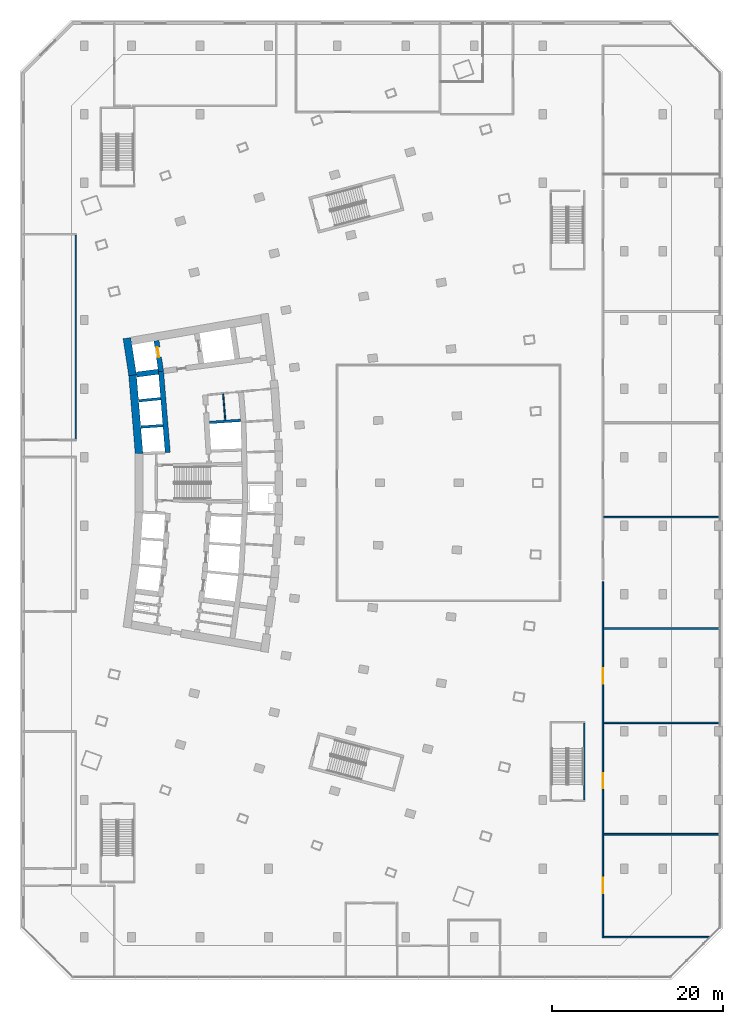
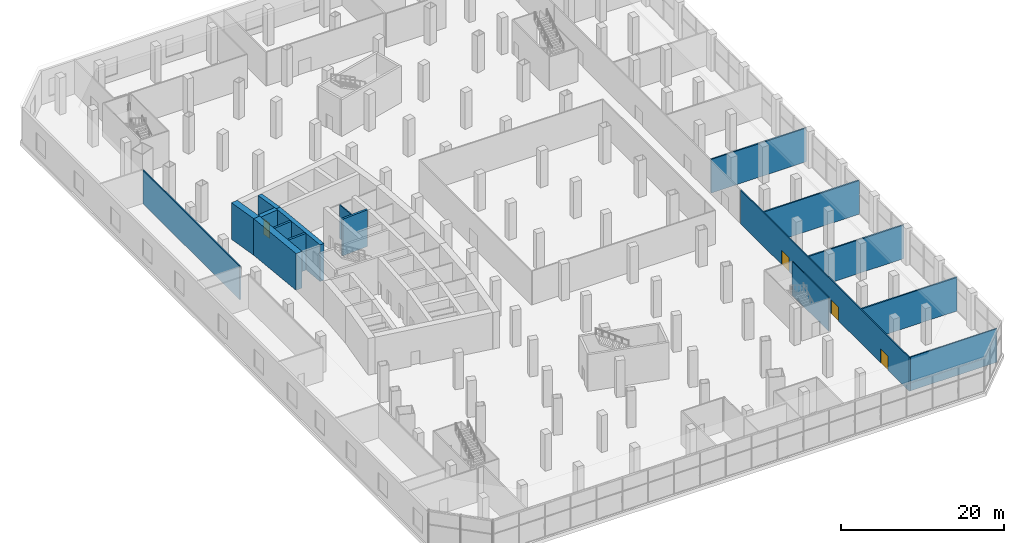
# One storey, part 14 of 26: 17 walls, 4 doors, 4 openings.
"""IFC4 building model written with IfcOpenShell, lengths in metres."""

from ifc_helpers import new_model, si_unit, direction, frame, frame_2d, origin, place, context, subcontext, project, spatial, rectangle, extrude, material, layer, layer_set, type_object, element, fill, save


model = new_model("IFC4")

# Units and contexts
model_context = context("Model", 3, precision=1e-05, world=origin(), true_north=direction((0.0, 1.0)))
body_context = subcontext(model_context, "Body", "Model", "MODEL_VIEW")
ifc_project = project(units=[si_unit("LENGTHUNIT", "METRE"), si_unit("AREAUNIT", "SQUARE_METRE"), si_unit("VOLUMEUNIT", "CUBIC_METRE"), si_unit("PLANEANGLEUNIT", "RADIAN"), si_unit("MASSUNIT", "GRAM", prefix="KILO")], contexts=[model_context])

# Site, building, storey
site_placement = place(None, origin())
site = spatial("IfcSite", under=ifc_project, at=site_placement, CompositionType="ELEMENT")
building_placement = place(site_placement, origin())
building = spatial("IfcBuilding", under=site, at=building_placement, Name="Alderwake Tower", CompositionType="ELEMENT")
storey_placement = place(building_placement, frame((0.0, 0.0, 8.0)))
storey = spatial("IfcBuildingStorey", under=building, at=storey_placement, Name="L01", CompositionType="ELEMENT", Elevation=8.0)

# Walls
ifc_material_1 = material(Name="Gypsum shaft wall system, rated")
ifc_layer_1 = layer(ifc_material_1, 0.14990234375)
ifc_layer_set_1 = layer_set([ifc_layer_1], Name="Core room partition 150")
wall_type_1 = type_object("IfcWallType", Name="Core room partition 150", PredefinedType="PARTITIONING", material=ifc_layer_set_1)
wall_1_placement = place(storey_placement, frame((26.94970703125, 68.3203125, 0.0), z_axis=(0.0, 0.0, 1.0), x_axis=(-0.082463525817, 0.996594083321, 0.0)))
element("IfcWall", 1, at=wall_1_placement, inside=storey, type_object=wall_type_1, Name="CW/L01/PA+107_+70", PredefinedType="PARTITIONING", context=body_context, shape_type="SweptSolid", body=[
    extrude(rectangle(XDim=3.055419921875, YDim=0.14990234375, at=frame_2d((1.52783203125, 0.0))), origin(), (0.0, 0.0, 1.0), 5.050048828125),
])
ifc_material_2 = material(Name="Concrete C70/85", Category="concrete")
ifc_layer_2 = layer(ifc_material_2, 0.89990234375)
ifc_layer_set_2 = layer_set([ifc_layer_2], Name="Core wall outer 900 C70-85")
wall_type_2 = type_object("IfcWallType", Name="Core wall outer 900 C70-85", PredefinedType="SHEAR", material=ifc_layer_set_2)
wall_2_placement = place(storey_placement, frame((16.890869140625, 64.41064453125, 0.0), z_axis=(0.0, 0.0, 1.0), x_axis=(-0.082624275373, 0.996580768989, 0.0)))
element("IfcWall", 2, at=wall_2_placement, inside=storey, type_object=wall_type_2, Name="Core wall CW.040", PredefinedType="SHEAR", context=body_context, shape_type="SweptSolid", body=[
    extrude(rectangle(XDim=9.210205078125, YDim=0.89990234375, at=frame_2d((4.60498046875, 0.0))), origin(), (0.0, 0.0, 1.0), 5.5),
])
wall_3_placement = place(storey_placement, frame((16.1337890625, 73.557373046875, 0.0), z_axis=(0.0, 0.0, 1.0), x_axis=(-0.151956504286, 0.988387181627, 0.0)))
element("IfcWall", 3, at=wall_3_placement, inside=storey, type_object=wall_type_2, Name="Core wall CW.039", PredefinedType="SHEAR", context=body_context, shape_type="SweptSolid", body=[
    extrude(rectangle(XDim=4.373291015625, YDim=0.89990234375, at=frame_2d((2.1865234375, 0.0))), origin(), (0.0, 0.0, 1.0), 5.5),
])
ifc_material_3 = material(Name="Concrete C70/85", Category="concrete")
ifc_layer_3 = layer(ifc_material_3, 0.300048828125)
ifc_layer_set_3 = layer_set([ifc_layer_3], Name="Core wall shaft 300 C70-85")
wall_type_3 = type_object("IfcWallType", Name="Core wall shaft 300 C70-85", PredefinedType="SHEAR", material=ifc_layer_set_3)
wall_4_placement = place(storey_placement, frame((17.115478515625, 67.510498046875, 0.0), z_axis=(0.0, 0.0, 1.0), x_axis=(0.99775517309, 0.06696726493, 0.0)))
element("IfcWall", 4, at=wall_4_placement, inside=storey, type_object=wall_type_3, Name="Core wall CW.062", PredefinedType="SHEAR", context=body_context, shape_type="SweptSolid", body=[
    extrude(rectangle(XDim=2.566650390625, YDim=0.300048828125, at=frame_2d((1.283203125, 0.0))), origin(), (0.0, 0.0, 1.0), 5.5),
])
wall_5_placement = place(storey_placement, frame((25.09228515625, 68.04541015625, 0.0), z_axis=(0.0, 0.0, 1.0), x_axis=(0.997760946222, 0.066881194621, 0.0)))
element("IfcWall", 5, at=wall_5_placement, inside=storey, type_object=wall_type_3, Name="Core wall CW.063", PredefinedType="SHEAR", context=body_context, shape_type="SweptSolid", body=[
    extrude(rectangle(XDim=3.668701171875, YDim=0.300048828125, at=frame_2d((1.83447265625, 0.0))), origin(), (0.0, 0.0, 1.0), 5.5),
])
wall_6_placement = place(storey_placement, frame((16.86181640625, 70.571533203125, 0.0), z_axis=(0.0, 0.0, 1.0), x_axis=(0.995151424955, 0.098354671516, 0.0)))
element("IfcWall", 6, at=wall_6_placement, inside=storey, type_object=wall_type_3, Name="Core wall CW.050", PredefinedType="SHEAR", context=body_context, shape_type="SweptSolid", body=[
    extrude(rectangle(XDim=2.566650390625, YDim=0.300048828125, at=frame_2d((1.283203125, 0.0))), origin(), (0.0, 0.0, 1.0), 5.5),
])
ifc_material_4 = material(Name="Concrete C70/85", Category="concrete")
ifc_layer_4 = layer(ifc_material_4, 0.60009765625)
ifc_layer_set_4 = layer_set([ifc_layer_4], Name="Core wall spine 600 C70-85")
wall_type_4 = type_object("IfcWallType", Name="Core wall spine 600 C70-85", PredefinedType="SHEAR", material=ifc_layer_set_4)
wall_7_placement = place(storey_placement, frame((20.2373046875, 64.548095703125, 0.0), z_axis=(0.0, 0.0, 1.0), x_axis=(-0.082626598613, 0.996580576372, 0.0)))
element("IfcWall", 7, at=wall_7_placement, inside=storey, type_object=wall_type_4, Name="Core wall CW.031", PredefinedType="SHEAR", context=body_context, shape_type="SweptSolid", body=[
    extrude(rectangle(XDim=9.50244140625, YDim=0.60009765625, at=frame_2d((4.751220703125, 0.0))), origin(), (0.0, 0.0, 1.0), 5.5),
])

# Wall, opening, door
wall_8_placement = place(storey_placement, frame((19.45458984375, 73.99755859375, 0.0), z_axis=(0.0, 0.0, 1.0), x_axis=(-0.147502312715, 0.989061710786, 0.0)))
wall_8 = element("IfcWall", 8, at=wall_8_placement, inside=storey, type_object=wall_type_4, Name="Core wall CW.030", PredefinedType="SHEAR", context=body_context, shape_type="SweptSolid", body=[
    extrude(rectangle(XDim=3.6181640625, YDim=0.60009765625, at=frame_2d((1.80908203125, 0.0))), origin(), (0.0, 0.0, 1.0), 5.5),
])
opening_1_placement = place(wall_8_placement, frame((1.664306640625, 0.0, 0.0)))
opening_1 = element("IfcOpeningElement", 9, at=opening_1_placement, cuts=wall_8, Name="Opening LD-FF1", PredefinedType="OPENING", context=body_context, shape_type="SweptSolid", body=[
    extrude(rectangle(XDim=1.199951171875, YDim=2.300048828125, at=frame_2d((0.60009765625, 1.14990234375))), frame((0.0, 0.31005859375, 0.0), z_axis=(0.0, -1.0, 0.0), x_axis=(1.0, 0.0, 0.0)), (0.0, 0.0, 1.0), 0.6201171875),
])
ifc_material_5 = material(Name="Stainless steel sliding leaf", Category="steel")
door_type_1 = type_object("IfcDoorType", Name="Lift landing door 1200", OperationType="SLIDING_TO_LEFT", PredefinedType="DOOR", material=ifc_material_5)
door_1_placement = place(opening_1_placement, origin())
door_1 = element("IfcDoor", 10, at=door_1_placement, inside=storey, type_object=door_type_1, Name="Lift landing door FF1", OperationType="SLIDING_TO_LEFT", OverallHeight=2.300048828125, OverallWidth=1.199951171875, PredefinedType="DOOR", context=body_context, shape_type="SweptSolid", body=[
    extrude(rectangle(XDim=1.199951171875, YDim=2.300048828125, at=frame_2d((0.60009765625, 1.14990234375))), frame((0.0, 0.050048828125, 0.0), z_axis=(0.0, -1.0, 0.0), x_axis=(1.0, 0.0, 0.0)), (0.0, 0.0, 1.0), 0.10009765625),
])
fill(opening_1, door_1)

# Walls
wall_9_placement = place(storey_placement, frame((16.607666015625, 73.635498046875, 0.0), z_axis=(0.0, 0.0, 1.0), x_axis=(0.991551057449, 0.129717001478, 0.0)))
element("IfcWall", 11, at=wall_9_placement, inside=storey, type_object=wall_type_4, Name="Core wall CW.051", PredefinedType="SHEAR", context=body_context, shape_type="SweptSolid", body=[
    extrude(rectangle(XDim=2.569091796875, YDim=0.60009765625, at=frame_2d((1.28466796875, 0.0))), origin(), (0.0, 0.0, 1.0), 5.5),
])
ifc_material_6 = material(Name="Gypsum board on metal studs, rated")
ifc_layer_5 = layer(ifc_material_6, 0.159912109375)
ifc_layer_set_5 = layer_set([ifc_layer_5], Name="Corridor wall 160")
wall_type_5 = type_object("IfcWallType", Name="Corridor wall 160", PredefinedType="PARTITIONING", material=ifc_layer_set_5)
wall_10_placement = place(storey_placement, frame((9.5009765625, 89.919921875, 0.0), z_axis=(0.0, 0.0, 1.0), x_axis=(0.0, -1.0, 0.0)))
element("IfcWall", 12, at=wall_10_placement, inside=storey, type_object=wall_type_5, Name="WL/L01/W35", PredefinedType="PARTITIONING", context=body_context, shape_type="SweptSolid", body=[
    extrude(rectangle(XDim=23.83984375, YDim=0.159912109375, at=frame_2d((11.919921875, 0.0))), origin(), (0.0, 0.0, 1.0), 5.050048828125),
])

# Wall, openings, doors
wall_11_placement = place(storey_placement, frame((71.0009765625, 7.9208984375, 0.0), z_axis=(0.0, 0.0, 1.0), x_axis=(0.0, 1.0, 0.0)))
wall_11 = element("IfcWall", 13, at=wall_11_placement, inside=storey, type_object=wall_type_5, Name="WL/L01/W60", PredefinedType="PARTITIONING", context=body_context, shape_type="SweptSolid", body=[
    extrude(rectangle(XDim=41.5390625, YDim=0.159912109375, at=frame_2d((20.76953125, 0.0))), origin(), (0.0, 0.0, 1.0), 5.050048828125),
])
opening_2_placement = place(wall_11_placement, frame((5.22900390625, 0.0, 0.0)))
opening_2 = element("IfcOpeningElement", 14, at=opening_2_placement, cuts=wall_11, Name="Opening L01-01", PredefinedType="OPENING", context=body_context, shape_type="SweptSolid", body=[
    extrude(rectangle(XDim=1.800048828125, YDim=2.10009765625, at=frame_2d((0.89990234375, 1.050048828125))), frame((0.0, 0.08984375, 0.0), z_axis=(0.0, -1.0, 0.0), x_axis=(1.0, 0.0, 0.0)), (0.0, 0.0, 1.0), 0.179931640625),
])
opening_3_placement = place(wall_11_placement, frame((17.428955078125, 0.0, 0.0)))
opening_3 = element("IfcOpeningElement", 15, at=opening_3_placement, cuts=wall_11, Name="Opening L01-02", PredefinedType="OPENING", context=body_context, shape_type="SweptSolid", body=[
    extrude(rectangle(XDim=1.800048828125, YDim=2.10009765625, at=frame_2d((0.89990234375, 1.050048828125))), frame((0.0, 0.08984375, 0.0), z_axis=(0.0, -1.0, 0.0), x_axis=(1.0, 0.0, 0.0)), (0.0, 0.0, 1.0), 0.179931640625),
])
opening_4_placement = place(wall_11_placement, frame((29.62890625, 0.0, 0.0)))
opening_4 = element("IfcOpeningElement", 16, at=opening_4_placement, cuts=wall_11, Name="Opening L01-03", PredefinedType="OPENING", context=body_context, shape_type="SweptSolid", body=[
    extrude(rectangle(XDim=1.800048828125, YDim=2.10009765625, at=frame_2d((0.89990234375, 1.050048828125))), frame((0.0, 0.08984375, 0.0), z_axis=(0.0, -1.0, 0.0), x_axis=(1.0, 0.0, 0.0)), (0.0, 0.0, 1.0), 0.179931640625),
])
ifc_material_7 = material(Name="Aluminium framed glazed leaves", Category="aluminium")
door_type_2 = type_object("IfcDoorType", Name="Shopfront door 1800 glazed double", OperationType="DOUBLE_DOOR_SINGLE_SWING", PredefinedType="DOOR", material=ifc_material_7)
door_2_placement = place(opening_2_placement, origin())
door_2 = element("IfcDoor", 17, at=door_2_placement, inside=storey, type_object=door_type_2, Name="DR/L01/01", OperationType="DOUBLE_DOOR_SINGLE_SWING", OverallHeight=2.10009765625, OverallWidth=1.800048828125, PredefinedType="DOOR", context=body_context, shape_type="SweptSolid", body=[
    extrude(rectangle(XDim=1.800048828125, YDim=2.10009765625, at=frame_2d((0.89990234375, 1.050048828125))), frame((0.0, 0.02490234375, 0.0), z_axis=(0.0, -1.0, 0.0), x_axis=(1.0, 0.0, 0.0)), (0.0, 0.0, 1.0), 0.050048828125),
])
fill(opening_2, door_2)
door_3_placement = place(opening_3_placement, origin())
door_3 = element("IfcDoor", 18, at=door_3_placement, inside=storey, type_object=door_type_2, Name="DR/L01/02", OperationType="DOUBLE_DOOR_SINGLE_SWING", OverallHeight=2.10009765625, OverallWidth=1.800048828125, PredefinedType="DOOR", context=body_context, shape_type="SweptSolid", body=[
    extrude(rectangle(XDim=1.800048828125, YDim=2.10009765625, at=frame_2d((0.89990234375, 1.050048828125))), frame((0.0, 0.02490234375, 0.0), z_axis=(0.0, -1.0, 0.0), x_axis=(1.0, 0.0, 0.0)), (0.0, 0.0, 1.0), 0.050048828125),
])
fill(opening_3, door_3)
door_4_placement = place(opening_4_placement, origin())
door_4 = element("IfcDoor", 19, at=door_4_placement, inside=storey, type_object=door_type_2, Name="DR/L01/03", OperationType="DOUBLE_DOOR_SINGLE_SWING", OverallHeight=2.10009765625, OverallWidth=1.800048828125, PredefinedType="DOOR", context=body_context, shape_type="SweptSolid", body=[
    extrude(rectangle(XDim=1.800048828125, YDim=2.10009765625, at=frame_2d((0.89990234375, 1.050048828125))), frame((0.0, 0.02490234375, 0.0), z_axis=(0.0, -1.0, 0.0), x_axis=(1.0, 0.0, 0.0)), (0.0, 0.0, 1.0), 0.050048828125),
])
fill(opening_4, door_4)

# Walls
wall_12_placement = place(storey_placement, frame((83.413818359375, 8.0009765625, 0.0), z_axis=(0.0, 0.0, 1.0), x_axis=(-1.0, 0.0, 0.0)))
element("IfcWall", 20, at=wall_12_placement, inside=storey, type_object=wall_type_5, Name="WL/L01/W64", PredefinedType="PARTITIONING", context=body_context, shape_type="SweptSolid", body=[
    extrude(rectangle(XDim=12.332763671875, YDim=0.159912109375, at=frame_2d((6.16650390625, 0.0))), origin(), (0.0, 0.0, 1.0), 5.050048828125),
])
ifc_material_8 = material(Name="Dense block masonry wall", Category="masonry")
ifc_layer_6 = layer(ifc_material_8, 0.199951171875)
ifc_layer_set_6 = layer_set([ifc_layer_6], Name="Party wall 200")
wall_type_6 = type_object("IfcWallType", Name="Party wall 200", PredefinedType="SOLIDWALL", material=ifc_layer_set_6)
for number, where, z_axis, x_axis, name in (
    (21, (84.6201171875, 20.0009765625, 0.0), (0.0, 0.0, 1.0), (-1.0, 0.0, 0.0), "WL/L01/W02"),
    (22, (84.6201171875, 33.0, 0.0), (0.0, 0.0, 1.0), (-1.0, 0.0, 0.0), "WL/L01/W03"),
    (23, (84.6201171875, 44.0009765625, 0.0), (0.0, 0.0, 1.0), (-1.0, 0.0, 0.0), "WL/L01/W04"),
    (24, (84.6201171875, 57.0, 0.0), (0.0, 0.0, 1.0), (-1.0, 0.0, 0.0), "WL/L01/W05"),
):
    element("IfcWall", number, at=place(storey_placement, frame(where, z_axis=z_axis, x_axis=x_axis)), inside=storey, type_object=wall_type_6, Name=name, PredefinedType="SOLIDWALL", context=body_context, shape_type="SweptSolid", body=[
        extrude(rectangle(XDim=13.5390625, YDim=0.199951171875, at=frame_2d((6.76953125, 0.0))), origin(), (0.0, 0.0, 1.0), 5.050048828125),
    ])
ifc_material_9 = material(Name="Concrete C40/50", Category="concrete")
ifc_layer_7 = layer(ifc_material_9, 0.14990234375)
ifc_layer_set_7 = layer_set([ifc_layer_7], Name="Stair shaft wall 150 C40/50")
wall_type_7 = type_object("IfcWallType", Name="Stair shaft wall 150 C40/50", PredefinedType="SHEAR", material=ifc_layer_set_7)
wall_13_placement = place(storey_placement, frame((68.825927734375, 33.0, 0.0), z_axis=(0.0, 0.0, 1.0), x_axis=(0.0, -1.0, 0.0)))
element("IfcWall", 25, at=wall_13_placement, inside=storey, type_object=wall_type_7, Name="WL/L01/W24", PredefinedType="SHEAR", context=body_context, shape_type="SweptSolid", body=[
    extrude(rectangle(XDim=9.0, YDim=0.14990234375, at=frame_2d((4.5, 0.0))), origin(), (0.0, 0.0, 1.0), 5.050048828125),
])

save(model, "model.ifc")
